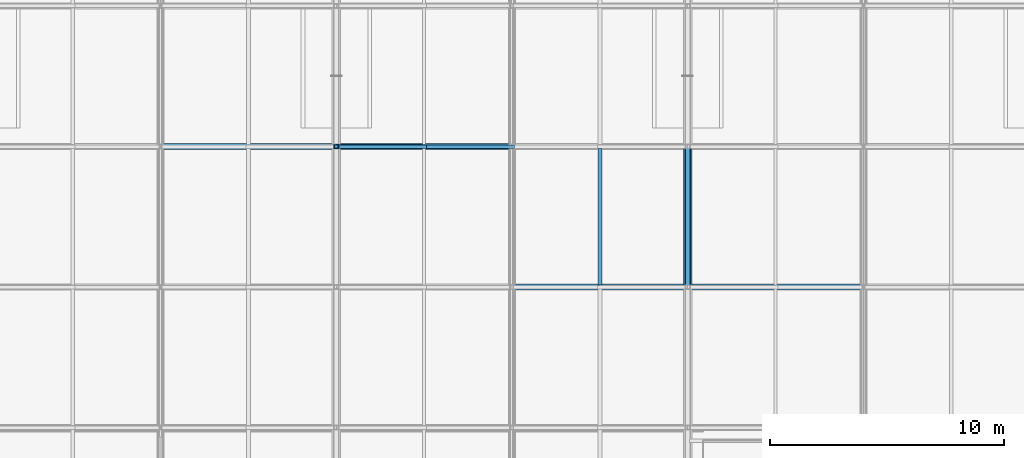
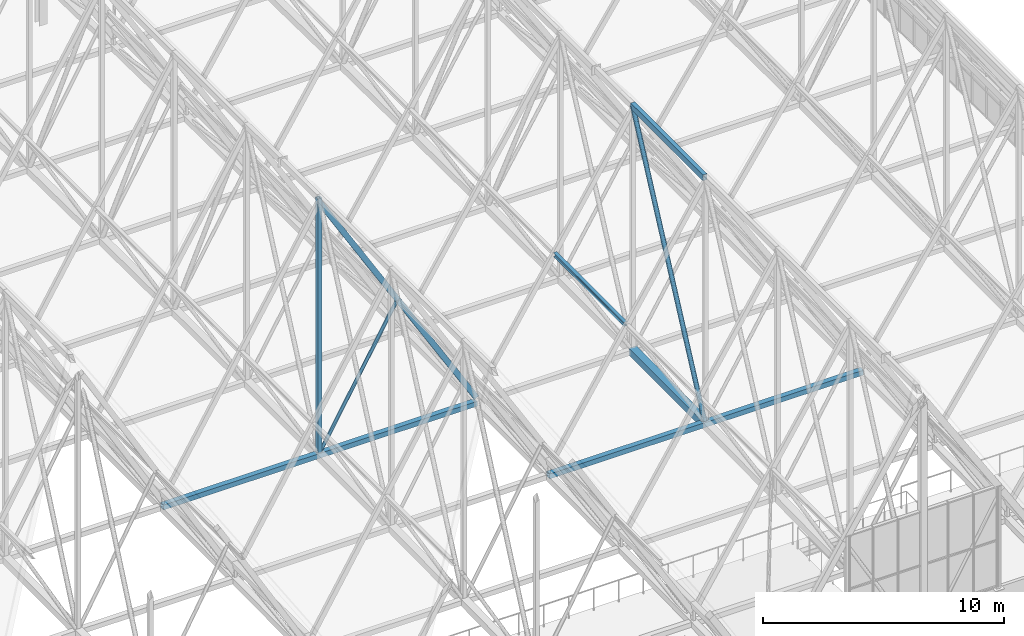
# One storey, part 149 of 324: 9 members, 1 beam.
"""IFC4 building model written with IfcOpenShell, lengths in metres."""

from ifc_helpers import new_model, si_unit, direction, frame, origin, origin_2d, place, context, subcontext, project, spatial, hollow_rectangle, hollow_circle, i_section, extrude, material, material_profile, profile_set, type_object, element, save


model = new_model("IFC4")

# Units and contexts
model_context = context("Model", 3, precision=1e-05, world=origin(), true_north=direction((0.0, 1.0)))
body_context = subcontext(model_context, "Body", "Model", "MODEL_VIEW")
ifc_project = project(units=[si_unit("LENGTHUNIT", "METRE"), si_unit("AREAUNIT", "SQUARE_METRE"), si_unit("VOLUMEUNIT", "CUBIC_METRE"), si_unit("PLANEANGLEUNIT", "RADIAN"), si_unit("MASSUNIT", "GRAM", prefix="KILO")], contexts=[model_context])

# Site, building, storey
site_placement = place(None, origin())
site = spatial("IfcSite", under=ifc_project, at=site_placement, CompositionType="ELEMENT")
building_placement = place(site_placement, origin())
building = spatial("IfcBuilding", under=site, at=building_placement, Name="Solvenia Promenade Tram Depot", CompositionType="ELEMENT")
storey_placement = place(building_placement, frame((0.0, 0.0, 4.5)))
storey = spatial("IfcBuildingStorey", under=building, at=storey_placement, Name="L01", CompositionType="ELEMENT", Elevation=4.5)

# Members
ifc_material_1 = material(Name="Structural steel ASTM A500 Gr. C", Category="steel")
ifc_material_profile_1 = material_profile(ifc_material_1, hollow_circle(Radius=0.109619140625, WallThickness=0.008056640625, at=origin_2d()), Name="CHS219.1x8", Category="steel")
ifc_profile_set_1 = profile_set([ifc_material_profile_1], Name="Structural steel ASTM A500 Gr. C")
member_type_1 = type_object("IfcMemberType", Name="Brace-CHS219x8", PredefinedType="BRACE", material=ifc_profile_set_1)
member_1_placement = place(storey_placement, frame((127.5, 84.0, 2.614013671875), z_axis=(0.0, 0.43482130343, 0.900516759468), x_axis=(-1.0, 0.0, 0.0)))
element("IfcMember", 1, at=member_1_placement, inside=storey, type_object=member_type_1, Name="Arched Truss T18 Web Diagonal S04", PredefinedType="BRACE", context=body_context, shape_type="SweptSolid", body=[
    extrude(hollow_circle(Radius=0.109619140625, WallThickness=0.008056640625, at=origin_2d()), origin(), (0.0, 0.0, 1.0), 13.798828125),
])
ifc_material_profile_2 = material_profile(ifc_material_1, hollow_rectangle(XDim=0.14990234375, YDim=0.25, WallThickness=0.010009765625, at=origin_2d()), Name="HSS250x150x10", Category="steel")
ifc_profile_set_2 = profile_set([ifc_material_profile_2], Name="Structural steel ASTM A500 Gr. C")
member_type_2 = type_object("IfcMemberType", Name="Chord-HSS250x150x10", PredefinedType="CHORD", material=ifc_profile_set_2)
for number, where, z_axis, x_axis, name in (
    (2, (112.5, 90.0, 15.42724609375), (0.514584433357, 0.0, -0.857439712718), (0.0, 1.0, 0.0), "Zigzag Gable 08 East Upper Rafter"),
    (3, (116.25, 90.0, 9.1787109375), (0.514584433357, 0.0, -0.857439712718), (0.0, 1.0, 0.0), "Zigzag Gable 08 East Lower Rafter"),
):
    element("IfcMember", number, at=place(storey_placement, frame(where, z_axis=z_axis, x_axis=x_axis)), inside=storey, type_object=member_type_2, Name=name, PredefinedType="CHORD", context=body_context, shape_type="SweptSolid", body=[
        extrude(hollow_rectangle(XDim=0.14990234375, YDim=0.25, WallThickness=0.010009765625, at=origin_2d()), origin(), (0.0, 0.0, 1.0), 7.287353515625),
    ])
ifc_material_profile_3 = material_profile(ifc_material_1, hollow_rectangle(XDim=0.25, YDim=0.25, WallThickness=0.010009765625, at=origin_2d()), Name="HSS250x250x10", Category="steel")
ifc_profile_set_3 = profile_set([ifc_material_profile_3], Name="Structural steel ASTM A500 Gr. C")
member_type_3 = type_object("IfcMemberType", Name="Chord-HSS250x250x10", PredefinedType="CHORD", material=ifc_profile_set_3)
for number, where, z_axis, x_axis, name in (
    (4, (105.0, 90.0, 2.656005859375), (1.0, 0.0, 0.0), (0.0, 1.0, 0.0), "Bottom-Chord Catenary Lateral Tie 067"),
    (5, (120.0, 84.0, 2.614013671875), (1.0, 0.0, 0.0), (0.0, 1.0, 0.0), "Bottom-Chord Catenary Lateral Tie 075"),
):
    element("IfcMember", number, at=place(storey_placement, frame(where, z_axis=z_axis, x_axis=x_axis)), inside=storey, type_object=member_type_3, Name=name, PredefinedType="CHORD", context=body_context, shape_type="SweptSolid", body=[
        extrude(hollow_rectangle(XDim=0.25, YDim=0.25, WallThickness=0.010009765625, at=origin_2d()), origin(), (0.0, 0.0, 1.0), 15.0),
    ])
ifc_material_profile_4 = material_profile(ifc_material_1, hollow_rectangle(XDim=0.199951171875, YDim=0.300048828125, WallThickness=0.012451171875, at=origin_2d()), Name="HSS300x200x12.5", Category="steel")
ifc_profile_set_4 = profile_set([ifc_material_profile_4], Name="Structural steel ASTM A500 Gr. C")
member_type_4 = type_object("IfcMemberType", Name="Chord-HSS300x200x12", PredefinedType="CHORD", material=ifc_profile_set_4)
member_2_placement = place(storey_placement, frame((127.5, 84.0, 15.0400390625), z_axis=(0.0, 1.0, 0.0), x_axis=(-1.0, 0.0, 0.0)))
element("IfcMember", 6, at=member_2_placement, inside=storey, type_object=member_type_4, Name="Arched Truss T18 Upper Chord S04", PredefinedType="CHORD", context=body_context, shape_type="SweptSolid", body=[
    extrude(hollow_rectangle(XDim=0.199951171875, YDim=0.300048828125, WallThickness=0.012451171875, at=origin_2d()), origin(), (0.0, 0.0, 1.0), 6.0),
])
ifc_material_profile_5 = material_profile(ifc_material_1, hollow_rectangle(XDim=0.35009765625, YDim=0.35009765625, WallThickness=0.01611328125, at=origin_2d()), Name="HSS350x350x16", Category="steel")
ifc_profile_set_5 = profile_set([ifc_material_profile_5], Name="Structural steel ASTM A500 Gr. C")
member_type_5 = type_object("IfcMemberType", Name="Chord-HSS350x350x16", PredefinedType="CHORD", material=ifc_profile_set_5)
member_3_placement = place(storey_placement, frame((127.5, 84.0, 2.614013671875), z_axis=(0.0, 0.999975510013, 0.006998526519), x_axis=(-1.0, 0.0, 0.0)))
element("IfcMember", 7, at=member_3_placement, inside=storey, type_object=member_type_5, Name="Arched Truss T18 Bottom Chord S04", PredefinedType="CHORD", context=body_context, shape_type="SweptSolid", body=[
    extrude(hollow_rectangle(XDim=0.35009765625, YDim=0.35009765625, WallThickness=0.01611328125, at=origin_2d()), origin(), (0.0, 0.0, 1.0), 6.000244140625),
])
ifc_material_profile_6 = material_profile(ifc_material_1, hollow_rectangle(XDim=0.199951171875, YDim=0.199951171875, WallThickness=0.010009765625, at=origin_2d()), Name="HSS200x200x10", Category="steel")
ifc_profile_set_6 = profile_set([ifc_material_profile_6], Name="Structural steel ASTM A500 Gr. C")
member_type_6 = type_object("IfcMemberType", Name="Post-HSS200x200x10", PredefinedType="POST", material=ifc_profile_set_6)
member_4_placement = place(storey_placement, frame((112.5, 90.0, 2.656005859375), z_axis=(0.0, 0.0, 1.0), x_axis=(1.0, 0.0, 0.0)))
element("IfcMember", 8, at=member_4_placement, inside=storey, type_object=member_type_6, Name="Arched Truss T16 Web Post S04", PredefinedType="POST", context=body_context, shape_type="SweptSolid", body=[
    extrude(hollow_rectangle(XDim=0.199951171875, YDim=0.199951171875, WallThickness=0.010009765625, at=origin_2d()), origin(), (0.0, 0.0, 1.0), 12.990966796875),
])

# Beam
ifc_material_2 = material(Name="Structural steel ASTM A992 Gr. 50", Category="steel")
ifc_material_profile_7 = material_profile(ifc_material_2, i_section(OverallWidth=0.1650390625, OverallDepth=0.200927734375, WebThickness=0.006103515625, FlangeThickness=0.01025390625, FilletRadius=0.010009765625, at=origin_2d()), Name="W200x36", Category="steel")
ifc_profile_set_7 = profile_set([ifc_material_profile_7], Name="Structural steel ASTM A992 Gr. 50")
beam_type = type_object("IfcBeamType", Name="Purlin-W200x36", PredefinedType="USERDEFINED", material=ifc_profile_set_7)
beam_placement = place(storey_placement, frame((123.75, 84.0849609375, 8.8857421875), z_axis=(0.0, 1.0, 0.0), x_axis=(-1.0, 0.0, 0.0)))
element("IfcBeam", 9, at=beam_placement, inside=storey, type_object=beam_type, Name="Gable Roof Purlin W-0167", ObjectType="PURLIN", PredefinedType="USERDEFINED", context=body_context, shape_type="SweptSolid", body=[
    extrude(i_section(OverallWidth=0.1650390625, OverallDepth=0.200927734375, WebThickness=0.006103515625, FlangeThickness=0.01025390625, FilletRadius=0.010009765625, at=origin_2d()), origin(), (0.0, 0.0, 1.0), 5.830078125),
])

# Member
ifc_material_profile_8 = material_profile(ifc_material_1, hollow_circle(Radius=0.084228515625, WallThickness=0.008056640625, at=origin_2d()), Name="CHS168.3x8", Category="steel")
ifc_profile_set_8 = profile_set([ifc_material_profile_8], Name="Structural steel ASTM A500 Gr. C")
member_type_7 = type_object("IfcMemberType", Name="WebDiag-CHS168x8", PredefinedType="BRACE", material=ifc_profile_set_8)
member_5_placement = place(storey_placement, frame((112.5, 90.0, 2.656005859375), z_axis=(0.498415644551, 0.0, 0.866938201527), x_axis=(0.0, 1.0, 0.0)))
element("IfcMember", 10, at=member_5_placement, inside=storey, type_object=member_type_7, Name="Zigzag Gable 08 East Knee Strut", PredefinedType="BRACE", context=body_context, shape_type="SweptSolid", body=[
    extrude(hollow_circle(Radius=0.084228515625, WallThickness=0.008056640625, at=origin_2d()), origin(), (0.0, 0.0, 1.0), 7.52392578125),
])

save(model, "model.ifc")
